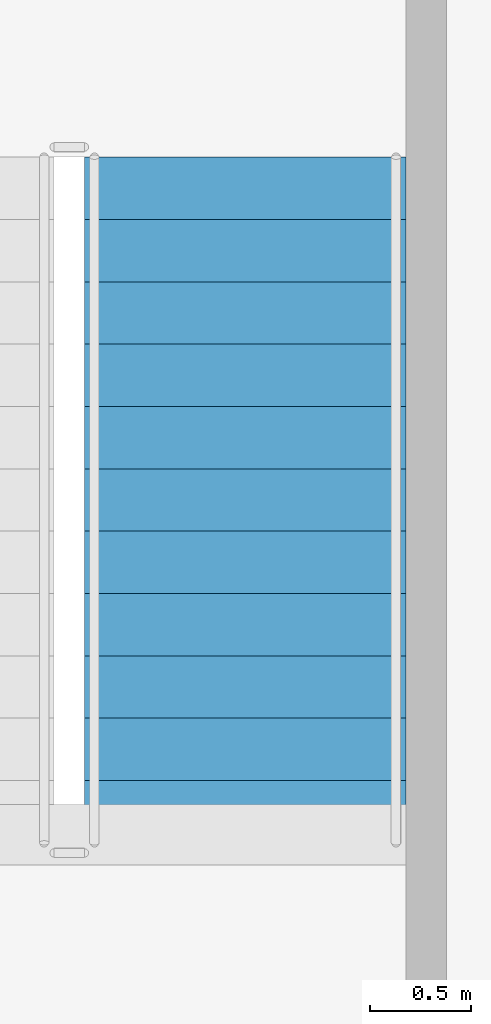
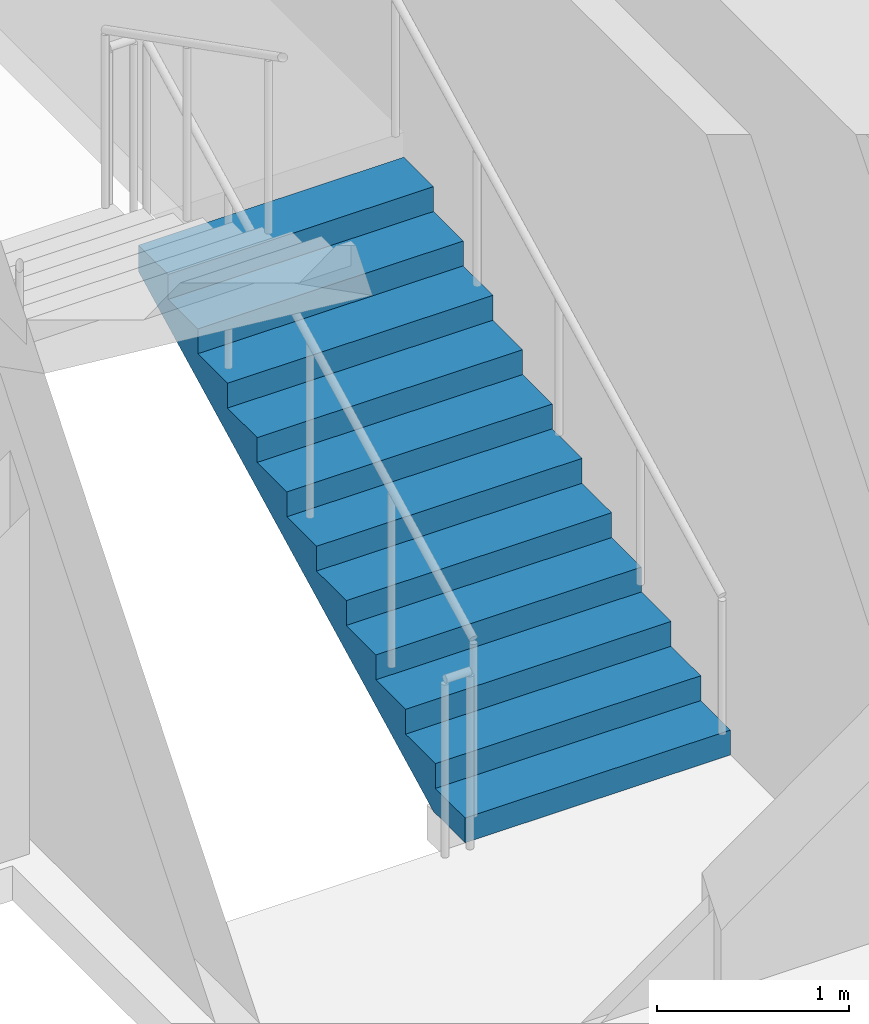
# One storey, part 13 of 17: 1 stair flight, 1 element without a shape of its own.
"""IFC4 building model written with IfcOpenShell, lengths in metres."""

from ifc_helpers import new_model, si_unit, direction, frame, origin, place, context, subcontext, project, spatial, polyline, outline, extrude, material, type_object, element, aggregate, save


model = new_model("IFC4")

# Units and contexts
model_context = context("Model", 3, precision=1e-05, world=origin(), true_north=direction((0.0, 1.0)))
body_context = subcontext(model_context, "Body", "Model", "MODEL_VIEW")
ifc_project = project(units=[si_unit("LENGTHUNIT", "METRE"), si_unit("AREAUNIT", "SQUARE_METRE"), si_unit("VOLUMEUNIT", "CUBIC_METRE"), si_unit("PLANEANGLEUNIT", "RADIAN"), si_unit("MASSUNIT", "GRAM", prefix="KILO")], contexts=[model_context])

# Site, building, storey
site_placement = place(None, origin())
site = spatial("IfcSite", under=ifc_project, at=site_placement, CompositionType="ELEMENT")
building_placement = place(site_placement, origin())
building = spatial("IfcBuilding", under=site, at=building_placement, Name="Vaeldorn Concourse Tower", CompositionType="ELEMENT")
storey_placement = place(building_placement, frame((0.0, 0.0, 165.199951171875)))
storey = spatial("IfcBuildingStorey", under=building, at=storey_placement, Name="L42", CompositionType="ELEMENT", Elevation=165.199951171875)

# Stair, stair flight
ifc_material = material(Name="Precast concrete C40/50", Category="concrete")
stair_type = type_object("IfcStairType", Name="STR-DOG-24x158", PredefinedType="HALF_TURN_STAIR", material=ifc_material)
stair_placement = place(storey_placement, origin())
stair = element("IfcStair", 1, at=stair_placement, inside=storey, type_object=stair_type, Name="L42 East Core Exit Stair ST-2", PredefinedType="HALF_TURN_STAIR")
stair_flight_type = type_object("IfcStairFlightType", Name="STF-STR-12x158", PredefinedType="STRAIGHT", material=ifc_material)
stair_flight_placement = place(storey_placement, frame((52.14990234375, 41.60009765625, 0.0), z_axis=(0.0, 0.0, 1.0), x_axis=(0.0, 1.0, 0.0)))
stair_flight = element("IfcStairFlight", 2, at=stair_flight_placement, type_object=stair_flight_type, Name="ST-2 flight 1", NumberOfRisers=12, NumberOfTreads=11, PredefinedType="STRAIGHT", RiserHeight=0.158333333, TreadLength=0.31, context=body_context, shape_type="SweptSolid", body=[
    extrude(outline(polyline([(0.0, 0.0), (0.0, 0.158447265625), (0.31005859375, 0.158447265625), (0.31005859375, 0.316650390625), (0.6201171875, 0.316650390625), (0.6201171875, 0.47509765625), (0.929931640625, 0.47509765625), (0.929931640625, 0.63330078125), (1.239990234375, 0.63330078125), (1.239990234375, 0.791748046875), (1.550048828125, 0.791748046875), (1.550048828125, 0.949951171875), (1.860107421875, 0.949951171875), (1.860107421875, 1.1083984375), (2.169921875, 1.1083984375), (2.169921875, 1.2666015625), (2.47998046875, 1.2666015625), (2.47998046875, 1.425048828125), (2.7900390625, 1.425048828125), (2.7900390625, 1.583251953125), (3.10009765625, 1.583251953125), (3.10009765625, 1.74169921875), (3.409912109375, 1.74169921875), (3.409912109375, 1.89990234375), (3.409912109375, 1.5732421875), (0.32958984375, 0.0), (0.0, 0.0)])), frame((0.0, 0.800048828125, 0.0), z_axis=(0.0, -1.0, 0.0), x_axis=(1.0, 0.0, 0.0)), (0.0, 0.0, 1.0), 1.60009765625),
])
aggregate(stair, [stair_flight])

save(model, "model.ifc")
